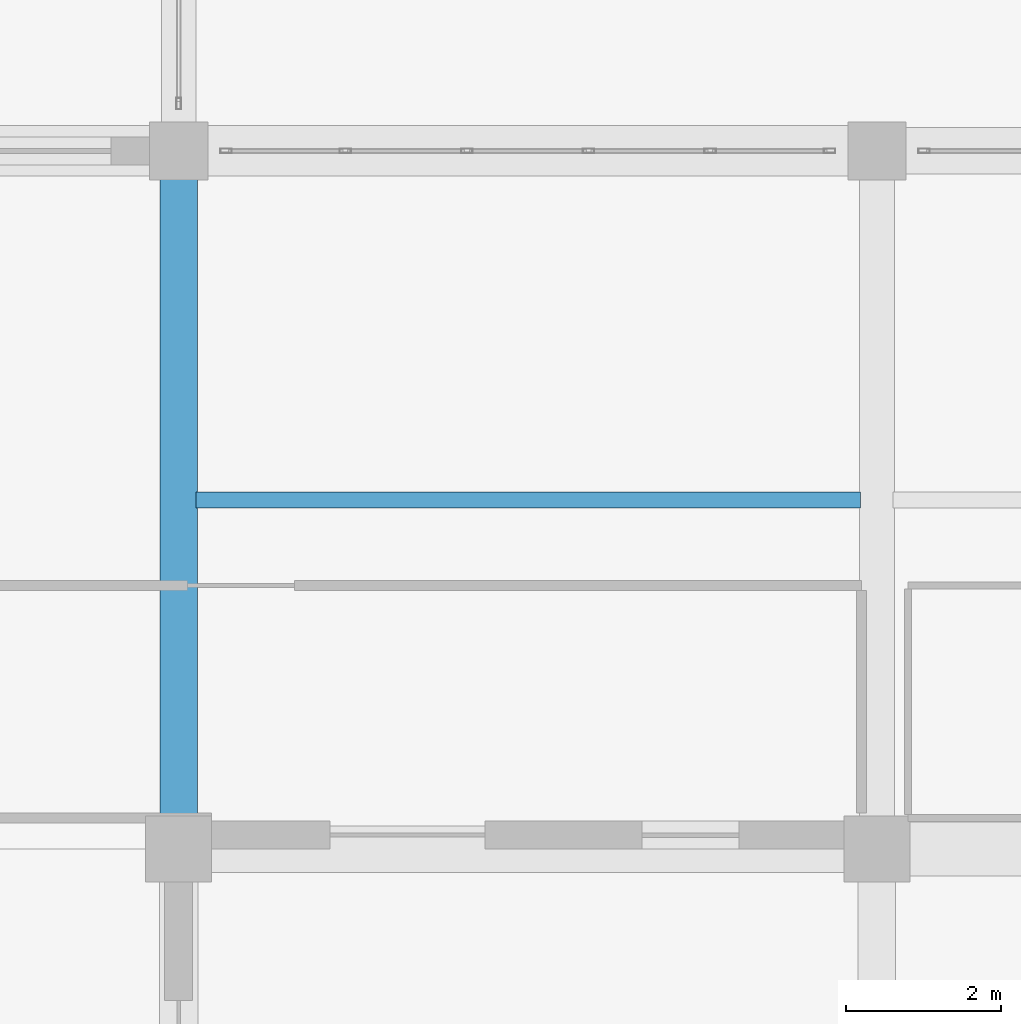
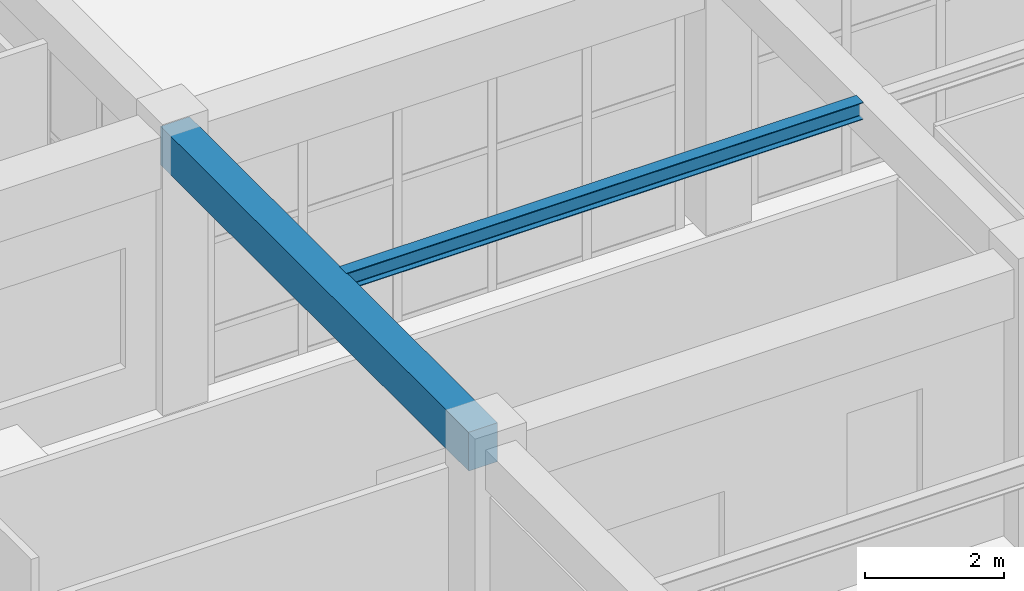
# One storey, part 48 of 128: 2 beams.
"""IFC4 building model written with IfcOpenShell, lengths in metres."""

from ifc_helpers import new_model, si_unit, direction, frame, origin, origin_2d, place, context, subcontext, project, spatial, rectangle, i_section, extrude, material, material_profile, profile_set, type_object, element, save


model = new_model("IFC4")

# Units and contexts
model_context = context("Model", 3, precision=1e-05, world=origin(), true_north=direction((0.0, 1.0)))
body_context = subcontext(model_context, "Body", "Model", "MODEL_VIEW")
ifc_project = project(units=[si_unit("LENGTHUNIT", "METRE"), si_unit("AREAUNIT", "SQUARE_METRE"), si_unit("VOLUMEUNIT", "CUBIC_METRE"), si_unit("PLANEANGLEUNIT", "RADIAN"), si_unit("MASSUNIT", "GRAM", prefix="KILO")], contexts=[model_context])

# Site, building, storey
site_placement = place(None, origin())
site = spatial("IfcSite", under=ifc_project, at=site_placement, CompositionType="ELEMENT")
building_placement = place(site_placement, origin())
building = spatial("IfcBuilding", under=site, at=building_placement, Name="Miravela Opera House", CompositionType="ELEMENT")
storey_placement = place(building_placement, origin())
storey = spatial("IfcBuildingStorey", under=building, at=storey_placement, Name="L00", CompositionType="ELEMENT", Elevation=0.0)

# Beams
ifc_material_1 = material(Name="Concrete C35/45", Category="concrete")
ifc_material_profile_1 = material_profile(ifc_material_1, rectangle(XDim=0.47998046875, YDim=0.679931640625, at=origin_2d()), Name="RC-BM-480X680")
ifc_profile_set_1 = profile_set([ifc_material_profile_1])
beam_type_1 = type_object("IfcBeamType", Name="STR-BM-RC480X680", PredefinedType="BEAM", material=ifc_profile_set_1)
beam_1_placement = place(storey_placement, frame((27.0, 75.080078125, 4.510009765625), z_axis=(0.0, 1.0, 0.0), x_axis=(-1.0, 0.0, 0.0)))
element("IfcBeam", 1, at=beam_1_placement, inside=storey, type_object=beam_type_1, Name="Floor Girder L00 4/I-J", PredefinedType="BEAM", context=body_context, shape_type="SweptSolid", body=[
    extrude(rectangle(XDim=0.47998046875, YDim=0.679931640625, at=origin_2d()), origin(), (0.0, 0.0, 1.0), 8.83984375),
])
ifc_material_2 = material(Name="Structural steel ASTM A992 Gr. 50", Category="steel")
ifc_material_profile_2 = material_profile(ifc_material_2, i_section(OverallWidth=0.202880859375, OverallDepth=0.302978515625, WebThickness=0.007568359375, FlangeThickness=0.01318359375, FilletRadius=0.012939453125, at=origin_2d()), Name="W310X60")
ifc_profile_set_2 = profile_set([ifc_material_profile_2])
beam_type_2 = type_object("IfcBeamType", Name="STR-BM-W310X60", PredefinedType="JOIST", material=ifc_profile_set_2)
beam_2_placement = place(storey_placement, frame((27.22509765625, 79.5, 4.698486328125), z_axis=(1.0, 0.0, 0.0), x_axis=(0.0, 1.0, 0.0)))
element("IfcBeam", 2, at=beam_2_placement, inside=storey, type_object=beam_type_2, Name="Secondary Floor Joist L00 4-5/I-J", PredefinedType="JOIST", context=body_context, shape_type="SweptSolid", body=[
    extrude(i_section(OverallWidth=0.202880859375, OverallDepth=0.302978515625, WebThickness=0.007568359375, FlangeThickness=0.01318359375, FilletRadius=0.012939453125, at=origin_2d()), origin(), (0.0, 0.0, 1.0), 8.56494140625),
])

save(model, "model.ifc")
